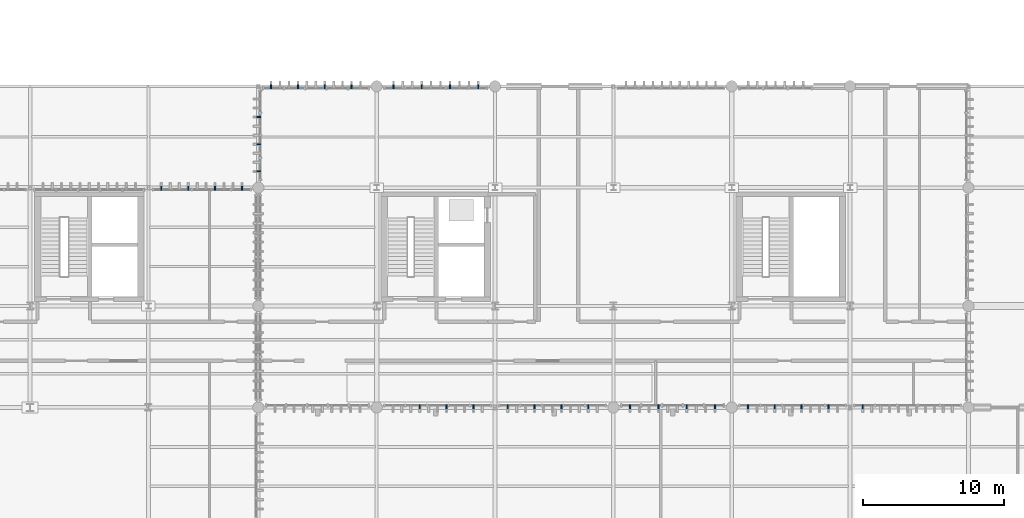
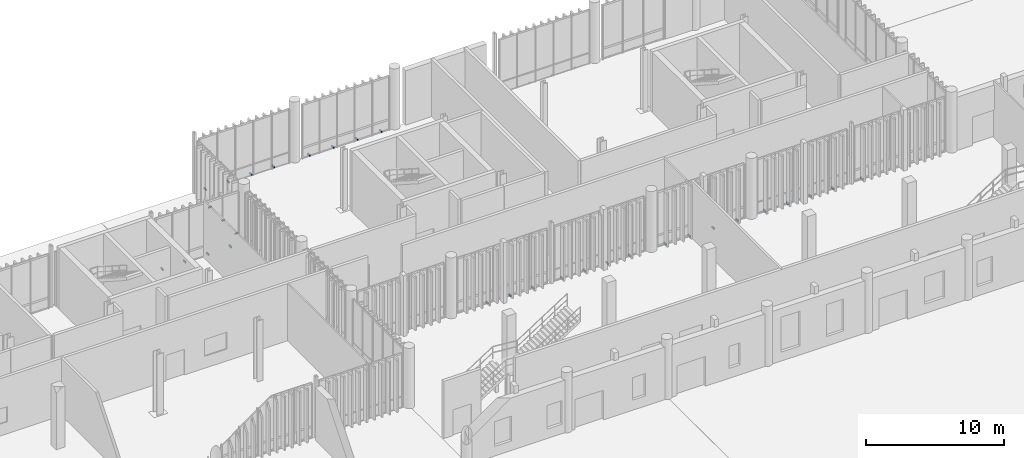
# One storey, part 98 of 112: 31 discrete accessories.
"""IFC4 building model written with IfcOpenShell, lengths in metres."""

from ifc_helpers import new_model, si_unit, direction, frame, origin_with_axes, origin_2d_with_axis, place, context, subcontext, project, spatial, rectangle, extrude, material, type_object, element, save


model = new_model("IFC4")

# Units and contexts
model_context = context("Model", 3, precision=1e-05, world=origin_with_axes(), true_north=direction((0.0, 1.0)))
body_context = subcontext(model_context, "Body", "Model", "MODEL_VIEW")
ifc_project = project(units=[si_unit("LENGTHUNIT", "METRE"), si_unit("AREAUNIT", "SQUARE_METRE"), si_unit("VOLUMEUNIT", "CUBIC_METRE"), si_unit("PLANEANGLEUNIT", "RADIAN"), si_unit("MASSUNIT", "GRAM", prefix="KILO"), si_unit("THERMODYNAMICTEMPERATUREUNIT", "KELVIN")], contexts=[model_context])

# Site, building, storey
site_placement = place(None, origin_with_axes())
site = spatial("IfcSite", under=ifc_project, at=site_placement, CompositionType="ELEMENT")
building_placement = place(site_placement, origin_with_axes())
building = spatial("IfcBuilding", under=site, at=building_placement, Name="Montbau Bow Law Courts", CompositionType="ELEMENT")
storey_placement = place(building_placement, origin_with_axes())
storey = spatial("IfcBuildingStorey", under=building, at=storey_placement, Name="L00", CompositionType="ELEMENT", Elevation=0.0)

# Discrete accessories
ifc_material = material(Name="Stainless Steel AISI 316L Outrigger Louvre Bracket", Category="steel")
discrete_accessory_type = type_object("IfcDiscreteAccessoryType", Name="DA-BRK-01", PredefinedType="BRACKET", material=ifc_material)
for number, where, z_axis, x_axis, name in (
    (1, (39.906, 54.56, 0.0), (0.0, 0.0, 1.0), (0.0, 1.0, 0.0), "BRK-L00-0035:brk_0035"),
    (2, (41.82, 54.56, 0.0), (0.0, 0.0, 1.0), (0.0, 1.0, 0.0), "BRK-L00-0036:brk_0036"),
    (3, (43.733, 54.56, 0.0), (0.0, 0.0, 1.0), (0.0, 1.0, 0.0), "BRK-L00-0037:brk_0037"),
    (4, (45.647, 54.56, 0.0), (0.0, 0.0, 1.0), (0.0, 1.0, 0.0), "BRK-L00-0038:brk_0038"),
    (5, (58.254, 39.04, 0.0), (0.0, 0.0, 1.0), (0.0, -1.0, 0.0), "BRK-L00-0413:brk_0413"),
    (6, (60.158, 39.04, 0.0), (0.0, 0.0, 1.0), (0.0, -1.0, 0.0), "BRK-L00-0414:brk_0414"),
    (7, (62.062, 39.04, 0.0), (0.0, 0.0, 1.0), (0.0, -1.0, 0.0), "BRK-L00-0415:brk_0415"),
    (8, (64.503, 39.04, 0.0), (0.0, 0.0, 1.0), (0.0, -1.0, 0.0), "BRK-L00-0416:brk_0416"),
    (9, (66.407, 39.04, 0.0), (0.0, 0.0, 1.0), (0.0, -1.0, 0.0), "BRK-L00-0417:brk_0417"),
    (10, (68.311, 39.04, 0.0), (0.0, 0.0, 1.0), (0.0, -1.0, 0.0), "BRK-L00-0418:brk_0418"),
    (11, (70.215, 39.04, 0.0), (0.0, 0.0, 1.0), (0.0, -1.0, 0.0), "BRK-L00-0419:brk_0419"),
    (12, (73.185, 39.04, 0.0), (0.0, 0.0, 1.0), (0.0, -1.0, 0.0), "BRK-L00-0420:brk_0420"),
    (13, (75.195, 39.04, 0.0), (0.0, 0.0, 1.0), (0.0, -1.0, 0.0), "BRK-L00-0421:brk_0421"),
    (14, (77.205, 39.04, 0.0), (0.0, 0.0, 1.0), (0.0, -1.0, 0.0), "BRK-L00-0422:brk_0422"),
    (15, (79.215, 39.04, 0.0), (0.0, 0.0, 1.0), (0.0, -1.0, 0.0), "BRK-L00-0423:brk_0423"),
    (16, (81.55, 39.04, 0.0), (0.0, 0.0, 1.0), (0.0, -1.0, 0.0), "BRK-L00-0424:brk_0424"),
    (17, (83.454, 39.04, 0.0), (0.0, 0.0, 1.0), (0.0, -1.0, 0.0), "BRK-L00-0425:brk_0425"),
    (18, (85.358, 39.04, 0.0), (0.0, 0.0, 1.0), (0.0, -1.0, 0.0), "BRK-L00-0426:brk_0426"),
    (19, (87.262, 39.04, 0.0), (0.0, 0.0, 1.0), (0.0, -1.0, 0.0), "BRK-L00-0427:brk_0427"),
    (20, (89.702, 39.04, 0.0), (0.0, 0.0, 1.0), (0.0, -1.0, 0.0), "BRK-L00-0428:brk_0428"),
    (21, (47.703, 61.76, 0.0), (0.0, 0.0, 1.0), (0.0, 1.0, 0.0), "BRK-L00-0432:brk_0432"),
    (22, (49.607, 61.76, 0.0), (0.0, 0.0, 1.0), (0.0, 1.0, 0.0), "BRK-L00-0433:brk_0433"),
    (23, (51.511, 61.76, 0.0), (0.0, 0.0, 1.0), (0.0, 1.0, 0.0), "BRK-L00-0434:brk_0434"),
    (24, (53.416, 61.76, 0.0), (0.0, 0.0, 1.0), (0.0, 1.0, 0.0), "BRK-L00-0435:brk_0435"),
    (25, (56.385, 61.76, 0.0), (0.0, 0.0, 1.0), (0.0, 1.0, 0.0), "BRK-L00-0436:brk_0436"),
    (26, (58.395, 61.76, 0.0), (0.0, 0.0, 1.0), (0.0, 1.0, 0.0), "BRK-L00-0437:brk_0437"),
    (27, (60.405, 61.76, 0.0), (0.0, 0.0, 1.0), (0.0, 1.0, 0.0), "BRK-L00-0438:brk_0438"),
    (28, (62.415, 61.76, 0.0), (0.0, 0.0, 1.0), (0.0, 1.0, 0.0), "BRK-L00-0439:brk_0439"),
    (29, (46.84, 55.757, 0.0), (0.0, 0.0, 1.0), (-1.0, 0.0, 0.0), "BRK-L00-0454:brk_0454"),
    (30, (46.84, 57.682, 0.0), (0.0, 0.0, 1.0), (-1.0, 0.0, 0.0), "BRK-L00-0455:brk_0455"),
    (31, (46.84, 59.607, 0.0), (0.0, 0.0, 1.0), (-1.0, 0.0, 0.0), "BRK-L00-0456:brk_0456"),
):
    element("IfcDiscreteAccessory", number, at=place(None, frame(where, z_axis=z_axis, x_axis=x_axis)), inside=storey, type_object=discrete_accessory_type, Name=name, PredefinedType="BRACKET", context=body_context, shape_type="SweptSolid", body=[
        extrude(rectangle(XDim=0.28, YDim=0.09, at=origin_2d_with_axis()), origin_with_axes(), (0.0, 0.0, 1.0), 0.12),
    ])

save(model, "model.ifc")
